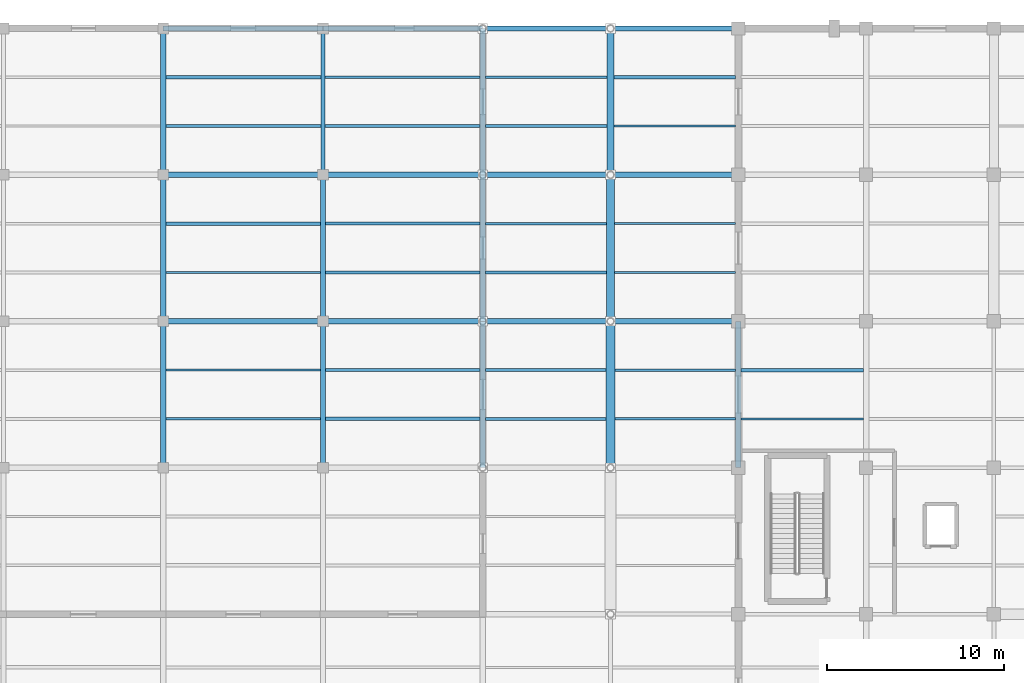
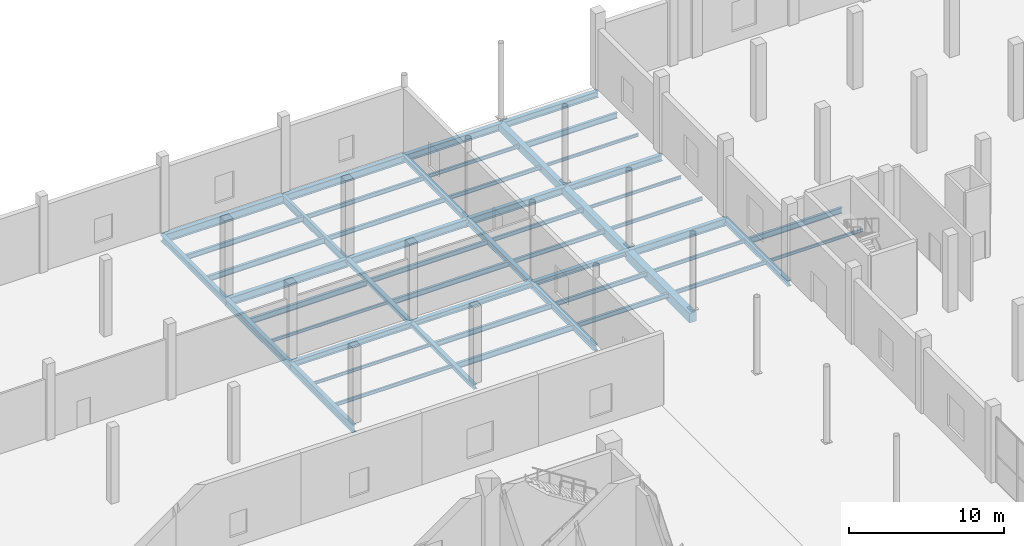
# One storey, part 71 of 144: 51 beams.
"""IFC4 building model written with IfcOpenShell, lengths in metres."""

from ifc_helpers import new_model, si_unit, direction, frame, origin, origin_2d, place, context, subcontext, project, spatial, rectangle, i_section, extrude, material, material_profile, profile_set, type_object, element, save


model = new_model("IFC4")

# Units and contexts
model_context = context("Model", 3, precision=1e-05, world=origin(), true_north=direction((0.0, 1.0)))
body_context = subcontext(model_context, "Body", "Model", "MODEL_VIEW")
ifc_project = project(units=[si_unit("LENGTHUNIT", "METRE"), si_unit("AREAUNIT", "SQUARE_METRE"), si_unit("VOLUMEUNIT", "CUBIC_METRE"), si_unit("PLANEANGLEUNIT", "RADIAN"), si_unit("MASSUNIT", "GRAM", prefix="KILO")], contexts=[model_context])

# Site, building, storey
site_placement = place(None, origin())
site = spatial("IfcSite", under=ifc_project, at=site_placement, CompositionType="ELEMENT")
building_placement = place(site_placement, origin())
building = spatial("IfcBuilding", under=site, at=building_placement, Name="Sundgate Opera House", CompositionType="ELEMENT")
storey_placement = place(building_placement, origin())
storey = spatial("IfcBuildingStorey", under=building, at=storey_placement, Name="L00", CompositionType="ELEMENT", Elevation=0.0)

# Beams
ifc_material_1 = material(Name="Steel S355J2", Category="steel")
ifc_material_profile_1 = material_profile(ifc_material_1, i_section(OverallWidth=0.300048828125, OverallDepth=0.330078125, WebThickness=0.009521484375, FlangeThickness=0.0166015625, at=origin_2d()), Name="HEA 340")
ifc_profile_set_1 = profile_set([ifc_material_profile_1], Name="Steel S355J2")
beam_type_1 = type_object("IfcBeamType", Name="BM-GR-HEA340", PredefinedType="BEAM", material=ifc_profile_set_1)
beam_1_placement = place(storey_placement, frame((72.0, 103.5, -0.485107421875), z_axis=(0.0, 1.0, 0.0), x_axis=(-1.0, 0.0, 0.0)))
element("IfcBeam", 1, at=beam_1_placement, inside=storey, type_object=beam_type_1, Name="L00 Primary N-S Girder B0160", PredefinedType="BEAM", context=body_context, shape_type="SweptSolid", body=[
    extrude(i_section(OverallWidth=0.300048828125, OverallDepth=0.330078125, WebThickness=0.009521484375, FlangeThickness=0.0166015625, at=origin_2d()), origin(), (0.0, 0.0, 1.0), 8.25),
])
ifc_material_2 = material(Name="Steel S355J2", Category="steel")
ifc_material_profile_2 = material_profile(ifc_material_2, i_section(OverallWidth=0.300048828125, OverallDepth=0.35009765625, WebThickness=0.010009765625, FlangeThickness=0.017578125, at=origin_2d()), Name="HEA 360")
ifc_profile_set_2 = profile_set([ifc_material_profile_2], Name="Steel S355J2")
beam_type_2 = type_object("IfcBeamType", Name="BM-GR-HEA360", PredefinedType="BEAM", material=ifc_profile_set_2)
beam_2_placement = place(storey_placement, frame((72.0, 95.25, -0.4951171875), z_axis=(0.0, 1.0, 0.0), x_axis=(-1.0, 0.0, 0.0)))
element("IfcBeam", 2, at=beam_2_placement, inside=storey, type_object=beam_type_2, Name="L00 Primary N-S Girder B0159", PredefinedType="BEAM", context=body_context, shape_type="SweptSolid", body=[
    extrude(i_section(OverallWidth=0.300048828125, OverallDepth=0.35009765625, WebThickness=0.010009765625, FlangeThickness=0.017578125, at=origin_2d()), origin(), (0.0, 0.0, 1.0), 8.25),
])
ifc_material_3 = material(Name="Steel S355J2", Category="steel")
ifc_material_profile_3 = material_profile(ifc_material_3, i_section(OverallWidth=0.300048828125, OverallDepth=0.43994140625, WebThickness=0.011474609375, FlangeThickness=0.02099609375, at=origin_2d()), Name="HEA 450")
ifc_profile_set_3 = profile_set([ifc_material_profile_3], Name="Steel S355J2")
beam_type_3 = type_object("IfcBeamType", Name="BM-GR-HEA450", PredefinedType="BEAM", material=ifc_profile_set_3)
beam_3_placement = place(storey_placement, frame((95.39990234375, 95.25, -0.5400390625), z_axis=(0.0, 1.0, 0.0), x_axis=(-1.0, 0.0, 0.0)))
element("IfcBeam", 3, at=beam_3_placement, inside=storey, type_object=beam_type_3, Name="L00 Primary N-S Girder B0201", PredefinedType="BEAM", context=body_context, shape_type="SweptSolid", body=[
    extrude(i_section(OverallWidth=0.300048828125, OverallDepth=0.43994140625, WebThickness=0.011474609375, FlangeThickness=0.02099609375, at=origin_2d()), origin(), (0.0, 0.0, 1.0), 8.25),
])
ifc_material_4 = material(Name="Steel S355J2", Category="steel")
ifc_material_profile_4 = material_profile(ifc_material_4, i_section(OverallWidth=0.300048828125, OverallDepth=0.590087890625, WebThickness=0.012939453125, FlangeThickness=0.02490234375, at=origin_2d()), Name="HEA 600")
ifc_profile_set_4 = profile_set([ifc_material_profile_4], Name="Steel S355J2")
beam_type_4 = type_object("IfcBeamType", Name="BM-GR-HEA600", PredefinedType="BEAM", material=ifc_profile_set_4)
beam_4_placement = place(storey_placement, frame((88.199951171875, 103.5, -0.614990234375), z_axis=(1.0, 0.0, 0.0), x_axis=(0.0, 1.0, 0.0)))
element("IfcBeam", 4, at=beam_4_placement, inside=storey, type_object=beam_type_4, Name="L00 Primary E-W Girder B0550", PredefinedType="BEAM", context=body_context, shape_type="SweptSolid", body=[
    extrude(i_section(OverallWidth=0.300048828125, OverallDepth=0.590087890625, WebThickness=0.012939453125, FlangeThickness=0.02490234375, at=origin_2d()), origin(), (0.0, 0.0, 1.0), 7.199951171875),
])
ifc_material_5 = material(Name="Steel S355J2", Category="steel")
ifc_material_profile_5 = material_profile(ifc_material_5, i_section(OverallWidth=0.300048828125, OverallDepth=0.360107421875, WebThickness=0.012451171875, FlangeThickness=0.0224609375, at=origin_2d()), Name="HEB 360")
ifc_profile_set_5 = profile_set([ifc_material_profile_5], Name="Steel S355J2")
beam_type_5 = type_object("IfcBeamType", Name="BM-GR-HEB360", PredefinedType="BEAM", material=ifc_profile_set_5)
beam_5_placement = place(storey_placement, frame((81.0, 103.5, -0.5), z_axis=(1.0, 0.0, 0.0), x_axis=(0.0, 1.0, 0.0)))
element("IfcBeam", 5, at=beam_5_placement, inside=storey, type_object=beam_type_5, Name="L00 Primary E-W Girder B0549", PredefinedType="BEAM", context=body_context, shape_type="SweptSolid", body=[
    extrude(i_section(OverallWidth=0.300048828125, OverallDepth=0.360107421875, WebThickness=0.012451171875, FlangeThickness=0.0224609375, at=origin_2d()), origin(), (0.0, 0.0, 1.0), 7.199951171875),
])
ifc_material_6 = material(Name="Steel S355J2", Category="steel")
ifc_material_profile_6 = material_profile(ifc_material_6, i_section(OverallWidth=0.300048828125, OverallDepth=0.39990234375, WebThickness=0.013427734375, FlangeThickness=0.02392578125, at=origin_2d()), Name="HEB 400")
ifc_profile_set_6 = profile_set([ifc_material_profile_6], Name="Steel S355J2")
beam_type_6 = type_object("IfcBeamType", Name="BM-GR-HEB400", PredefinedType="BEAM", material=ifc_profile_set_6)
beam_6_placement = place(storey_placement, frame((81.0, 111.75, -0.52001953125), z_axis=(0.0, 1.0, 0.0), x_axis=(-1.0, 0.0, 0.0)))
element("IfcBeam", 6, at=beam_6_placement, inside=storey, type_object=beam_type_6, Name="L00 Primary N-S Girder B0175", PredefinedType="BEAM", context=body_context, shape_type="SweptSolid", body=[
    extrude(i_section(OverallWidth=0.300048828125, OverallDepth=0.39990234375, WebThickness=0.013427734375, FlangeThickness=0.02392578125, at=origin_2d()), origin(), (0.0, 0.0, 1.0), 8.25),
])
beam_7_placement = place(storey_placement, frame((72.0, 103.5, -0.52001953125), z_axis=(1.0, 0.0, 0.0), x_axis=(0.0, 1.0, 0.0)))
element("IfcBeam", 7, at=beam_7_placement, inside=storey, type_object=beam_type_6, Name="L00 Primary E-W Girder B0548", PredefinedType="BEAM", context=body_context, shape_type="SweptSolid", body=[
    extrude(i_section(OverallWidth=0.300048828125, OverallDepth=0.39990234375, WebThickness=0.013427734375, FlangeThickness=0.02392578125, at=origin_2d()), origin(), (0.0, 0.0, 1.0), 9.0),
])
ifc_material_7 = material(Name="Steel S355J2", Category="steel")
ifc_material_profile_7 = material_profile(ifc_material_7, i_section(OverallWidth=0.300048828125, OverallDepth=0.449951171875, WebThickness=0.013916015625, FlangeThickness=0.02587890625, at=origin_2d()), Name="HEB 450")
ifc_profile_set_7 = profile_set([ifc_material_profile_7], Name="Steel S355J2")
beam_type_7 = type_object("IfcBeamType", Name="BM-GR-HEB450", PredefinedType="BEAM", material=ifc_profile_set_7)
beam_8_placement = place(storey_placement, frame((81.0, 103.5, -0.544921875), z_axis=(0.0, 1.0, 0.0), x_axis=(-1.0, 0.0, 0.0)))
element("IfcBeam", 8, at=beam_8_placement, inside=storey, type_object=beam_type_7, Name="L00 Primary N-S Girder B0174", PredefinedType="BEAM", context=body_context, shape_type="SweptSolid", body=[
    extrude(i_section(OverallWidth=0.300048828125, OverallDepth=0.449951171875, WebThickness=0.013916015625, FlangeThickness=0.02587890625, at=origin_2d()), origin(), (0.0, 0.0, 1.0), 8.25),
])
beam_9_placement = place(storey_placement, frame((63.0, 103.5, -0.544921875), z_axis=(1.0, 0.0, 0.0), x_axis=(0.0, 1.0, 0.0)))
element("IfcBeam", 9, at=beam_9_placement, inside=storey, type_object=beam_type_7, Name="L00 Primary E-W Girder B0547", PredefinedType="BEAM", context=body_context, shape_type="SweptSolid", body=[
    extrude(i_section(OverallWidth=0.300048828125, OverallDepth=0.449951171875, WebThickness=0.013916015625, FlangeThickness=0.02587890625, at=origin_2d()), origin(), (0.0, 0.0, 1.0), 9.0),
])
ifc_material_8 = material(Name="Steel S355J2", Category="steel")
ifc_material_profile_8 = material_profile(ifc_material_8, i_section(OverallWidth=0.300048828125, OverallDepth=0.5, WebThickness=0.014404296875, FlangeThickness=0.028076171875, at=origin_2d()), Name="HEB 500")
ifc_profile_set_8 = profile_set([ifc_material_profile_8], Name="Steel S355J2")
beam_type_8 = type_object("IfcBeamType", Name="BM-GR-HEB500", PredefinedType="BEAM", material=ifc_profile_set_8)
for number, where, z_axis, x_axis, name in (
    (10, (63.0, 111.75, -0.570068359375), (0.0, 1.0, 0.0), (-1.0, 0.0, 0.0), "L00 Primary N-S Girder B0151"),
    (11, (81.0, 95.25, -0.570068359375), (0.0, 1.0, 0.0), (-1.0, 0.0, 0.0), "L00 Primary N-S Girder B0173"),
):
    element("IfcBeam", number, at=place(storey_placement, frame(where, z_axis=z_axis, x_axis=x_axis)), inside=storey, type_object=beam_type_8, Name=name, PredefinedType="BEAM", context=body_context, shape_type="SweptSolid", body=[
        extrude(i_section(OverallWidth=0.300048828125, OverallDepth=0.5, WebThickness=0.014404296875, FlangeThickness=0.028076171875, at=origin_2d()), origin(), (0.0, 0.0, 1.0), 8.25),
    ])
for number, where, z_axis, x_axis, name in (
    (12, (88.199951171875, 111.75, -0.570068359375), (1.0, 0.0, 0.0), (0.0, 1.0, 0.0), "L00 Primary E-W Girder B0568"),
    (13, (88.199951171875, 120.0, -0.570068359375), (1.0, 0.0, 0.0), (0.0, 1.0, 0.0), "L00 Primary E-W Girder B0590"),
):
    element("IfcBeam", number, at=place(storey_placement, frame(where, z_axis=z_axis, x_axis=x_axis)), inside=storey, type_object=beam_type_8, Name=name, PredefinedType="BEAM", context=body_context, shape_type="SweptSolid", body=[
        extrude(i_section(OverallWidth=0.300048828125, OverallDepth=0.5, WebThickness=0.014404296875, FlangeThickness=0.028076171875, at=origin_2d()), origin(), (0.0, 0.0, 1.0), 7.199951171875),
    ])
ifc_material_9 = material(Name="Steel S355J2", Category="steel")
ifc_material_profile_9 = material_profile(ifc_material_9, i_section(OverallWidth=0.300048828125, OverallDepth=0.550048828125, WebThickness=0.014892578125, FlangeThickness=0.029052734375, at=origin_2d()), Name="HEB 550")
ifc_profile_set_9 = profile_set([ifc_material_profile_9], Name="Steel S355J2")
beam_type_9 = type_object("IfcBeamType", Name="BM-GR-HEB550", PredefinedType="BEAM", material=ifc_profile_set_9)
beam_10_placement = place(storey_placement, frame((63.0, 103.5, -0.594970703125), z_axis=(0.0, 1.0, 0.0), x_axis=(-1.0, 0.0, 0.0)))
element("IfcBeam", 14, at=beam_10_placement, inside=storey, type_object=beam_type_9, Name="L00 Primary N-S Girder B0150", PredefinedType="BEAM", context=body_context, shape_type="SweptSolid", body=[
    extrude(i_section(OverallWidth=0.300048828125, OverallDepth=0.550048828125, WebThickness=0.014892578125, FlangeThickness=0.029052734375, at=origin_2d()), origin(), (0.0, 0.0, 1.0), 8.25),
])
for number, where, z_axis, x_axis, name in (
    (15, (81.0, 111.75, -0.594970703125), (1.0, 0.0, 0.0), (0.0, 1.0, 0.0), "L00 Primary E-W Girder B0567"),
    (16, (81.0, 120.0, -0.594970703125), (1.0, 0.0, 0.0), (0.0, 1.0, 0.0), "L00 Primary E-W Girder B0589"),
):
    element("IfcBeam", number, at=place(storey_placement, frame(where, z_axis=z_axis, x_axis=x_axis)), inside=storey, type_object=beam_type_9, Name=name, PredefinedType="BEAM", context=body_context, shape_type="SweptSolid", body=[
        extrude(i_section(OverallWidth=0.300048828125, OverallDepth=0.550048828125, WebThickness=0.014892578125, FlangeThickness=0.029052734375, at=origin_2d()), origin(), (0.0, 0.0, 1.0), 7.199951171875),
    ])
ifc_material_10 = material(Name="Steel S355J2", Category="steel")
ifc_material_profile_10 = material_profile(ifc_material_10, i_section(OverallWidth=0.300048828125, OverallDepth=0.60009765625, WebThickness=0.015380859375, FlangeThickness=0.030029296875, at=origin_2d()), Name="HEB 600")
ifc_profile_set_10 = profile_set([ifc_material_profile_10], Name="Steel S355J2")
beam_type_10 = type_object("IfcBeamType", Name="BM-GR-HEB600", PredefinedType="BEAM", material=ifc_profile_set_10)
beam_11_placement = place(storey_placement, frame((63.0, 95.25, -0.6201171875), z_axis=(0.0, 1.0, 0.0), x_axis=(-1.0, 0.0, 0.0)))
element("IfcBeam", 17, at=beam_11_placement, inside=storey, type_object=beam_type_10, Name="L00 Primary N-S Girder B0149", PredefinedType="BEAM", context=body_context, shape_type="SweptSolid", body=[
    extrude(i_section(OverallWidth=0.300048828125, OverallDepth=0.60009765625, WebThickness=0.015380859375, FlangeThickness=0.030029296875, at=origin_2d()), origin(), (0.0, 0.0, 1.0), 8.25),
])
for number, where, z_axis, x_axis, name in (
    (18, (72.0, 111.75, -0.6201171875), (1.0, 0.0, 0.0), (0.0, 1.0, 0.0), "L00 Primary E-W Girder B0566"),
    (19, (72.0, 120.0, -0.6201171875), (1.0, 0.0, 0.0), (0.0, 1.0, 0.0), "L00 Primary E-W Girder B0588"),
):
    element("IfcBeam", number, at=place(storey_placement, frame(where, z_axis=z_axis, x_axis=x_axis)), inside=storey, type_object=beam_type_10, Name=name, PredefinedType="BEAM", context=body_context, shape_type="SweptSolid", body=[
        extrude(i_section(OverallWidth=0.300048828125, OverallDepth=0.60009765625, WebThickness=0.015380859375, FlangeThickness=0.030029296875, at=origin_2d()), origin(), (0.0, 0.0, 1.0), 9.0),
    ])
ifc_material_11 = material(Name="Steel S355J2", Category="steel")
ifc_material_profile_11 = material_profile(ifc_material_11, i_section(OverallWidth=0.300048828125, OverallDepth=0.64990234375, WebThickness=0.01611328125, FlangeThickness=0.031005859375, at=origin_2d()), Name="HEB 650")
ifc_profile_set_11 = profile_set([ifc_material_profile_11], Name="Steel S355J2")
beam_type_11 = type_object("IfcBeamType", Name="BM-GR-HEB650", PredefinedType="BEAM", material=ifc_profile_set_11)
for number, where, z_axis, x_axis, name in (
    (20, (63.0, 111.75, -0.64501953125), (1.0, 0.0, 0.0), (0.0, 1.0, 0.0), "L00 Primary E-W Girder B0565"),
    (21, (63.0, 120.0, -0.64501953125), (1.0, 0.0, 0.0), (0.0, 1.0, 0.0), "L00 Primary E-W Girder B0587"),
):
    element("IfcBeam", number, at=place(storey_placement, frame(where, z_axis=z_axis, x_axis=x_axis)), inside=storey, type_object=beam_type_11, Name=name, PredefinedType="BEAM", context=body_context, shape_type="SweptSolid", body=[
        extrude(i_section(OverallWidth=0.300048828125, OverallDepth=0.64990234375, WebThickness=0.01611328125, FlangeThickness=0.031005859375, at=origin_2d()), origin(), (0.0, 0.0, 1.0), 9.0),
    ])
ifc_material_12 = material(Name="Steel S355J2", Category="steel")
ifc_material_profile_12 = material_profile(ifc_material_12, i_section(OverallWidth=0.219970703125, OverallDepth=0.60009765625, WebThickness=0.011962890625, FlangeThickness=0.01904296875, at=origin_2d()), Name="IPE 600")
ifc_profile_set_12 = profile_set([ifc_material_profile_12], Name="Steel S355J2")
beam_type_12 = type_object("IfcBeamType", Name="BM-GR-IPE600", PredefinedType="BEAM", material=ifc_profile_set_12)
beam_12_placement = place(storey_placement, frame((72.0, 111.75, -0.6201171875), z_axis=(0.0, 1.0, 0.0), x_axis=(-1.0, 0.0, 0.0)))
element("IfcBeam", 22, at=beam_12_placement, inside=storey, type_object=beam_type_12, Name="L00 Primary N-S Girder B0161", PredefinedType="BEAM", context=body_context, shape_type="SweptSolid", body=[
    extrude(i_section(OverallWidth=0.219970703125, OverallDepth=0.60009765625, WebThickness=0.011962890625, FlangeThickness=0.01904296875, at=origin_2d()), origin(), (0.0, 0.0, 1.0), 8.25),
])
ifc_material_13 = material(Name="Steel S355J2", Category="steel")
ifc_material_profile_13 = material_profile(ifc_material_13, i_section(OverallWidth=0.1201171875, OverallDepth=0.239990234375, WebThickness=0.006103515625, FlangeThickness=0.009765625, at=origin_2d()), Name="IPE 240")
ifc_profile_set_13 = profile_set([ifc_material_profile_13], Name="Steel S355J2")
beam_type_13 = type_object("IfcBeamType", Name="BM-JS-IPE240", PredefinedType="JOIST", material=ifc_profile_set_13)
beam_13_placement = place(storey_placement, frame((63.14990234375, 100.75, -0.43994140625), z_axis=(1.0, 0.0, 0.0), x_axis=(0.0, 1.0, 0.0)))
element("IfcBeam", 23, at=beam_13_placement, inside=storey, type_object=beam_type_13, Name="L00 Secondary Floor Joist B0965", PredefinedType="JOIST", context=body_context, shape_type="SweptSolid", body=[
    extrude(i_section(OverallWidth=0.1201171875, OverallDepth=0.239990234375, WebThickness=0.006103515625, FlangeThickness=0.009765625, at=origin_2d()), origin(), (0.0, 0.0, 1.0), 8.7001953125),
])
beam_14_placement = place(storey_placement, frame((95.550048828125, 98.0, -0.43994140625), z_axis=(1.0, 0.0, 0.0), x_axis=(0.0, 1.0, 0.0)))
element("IfcBeam", 24, at=beam_14_placement, inside=storey, type_object=beam_type_13, Name="L00 Secondary Floor Joist B0972", PredefinedType="JOIST", context=body_context, shape_type="SweptSolid", body=[
    extrude(i_section(OverallWidth=0.1201171875, OverallDepth=0.239990234375, WebThickness=0.006103515625, FlangeThickness=0.009765625, at=origin_2d()), origin(), (0.0, 0.0, 1.0), 6.89990234375),
])
beam_15_placement = place(storey_placement, frame((63.14990234375, 106.25, -0.43994140625), z_axis=(1.0, 0.0, 0.0), x_axis=(0.0, 1.0, 0.0)))
element("IfcBeam", 25, at=beam_15_placement, inside=storey, type_object=beam_type_13, Name="L00 Secondary Floor Joist B1000", PredefinedType="JOIST", context=body_context, shape_type="SweptSolid", body=[
    extrude(i_section(OverallWidth=0.1201171875, OverallDepth=0.239990234375, WebThickness=0.006103515625, FlangeThickness=0.009765625, at=origin_2d()), origin(), (0.0, 0.0, 1.0), 8.7001953125),
])
beam_16_placement = place(storey_placement, frame((88.425048828125, 109.0, -0.43994140625), z_axis=(1.0, 0.0, 0.0), x_axis=(0.0, 1.0, 0.0)))
element("IfcBeam", 26, at=beam_16_placement, inside=storey, type_object=beam_type_13, Name="L00 Secondary Floor Joist B1007", PredefinedType="JOIST", context=body_context, shape_type="SweptSolid", body=[
    extrude(i_section(OverallWidth=0.1201171875, OverallDepth=0.239990234375, WebThickness=0.006103515625, FlangeThickness=0.009765625, at=origin_2d()), origin(), (0.0, 0.0, 1.0), 6.824951171875),
])
beam_17_placement = place(storey_placement, frame((88.39990234375, 114.5, -0.43994140625), z_axis=(1.0, 0.0, 0.0), x_axis=(0.0, 1.0, 0.0)))
element("IfcBeam", 27, at=beam_17_placement, inside=storey, type_object=beam_type_13, Name="L00 Secondary Floor Joist B1042", PredefinedType="JOIST", context=body_context, shape_type="SweptSolid", body=[
    extrude(i_section(OverallWidth=0.1201171875, OverallDepth=0.239990234375, WebThickness=0.006103515625, FlangeThickness=0.009765625, at=origin_2d()), origin(), (0.0, 0.0, 1.0), 6.85009765625),
])
ifc_material_14 = material(Name="Steel S355J2", Category="steel")
ifc_material_profile_14 = material_profile(ifc_material_14, i_section(OverallWidth=0.135009765625, OverallDepth=0.27001953125, WebThickness=0.006591796875, FlangeThickness=0.01025390625, at=origin_2d()), Name="IPE 270")
ifc_profile_set_14 = profile_set([ifc_material_profile_14], Name="Steel S355J2")
beam_type_14 = type_object("IfcBeamType", Name="BM-JS-IPE270", PredefinedType="JOIST", material=ifc_profile_set_14)
beam_18_placement = place(storey_placement, frame((63.14990234375, 98.0, -0.455078125), z_axis=(1.0, 0.0, 0.0), x_axis=(0.0, 1.0, 0.0)))
element("IfcBeam", 28, at=beam_18_placement, inside=storey, type_object=beam_type_14, Name="L00 Secondary Floor Joist B0964", PredefinedType="JOIST", context=body_context, shape_type="SweptSolid", body=[
    extrude(i_section(OverallWidth=0.135009765625, OverallDepth=0.27001953125, WebThickness=0.006591796875, FlangeThickness=0.01025390625, at=origin_2d()), origin(), (0.0, 0.0, 1.0), 8.7001953125),
])
beam_19_placement = place(storey_placement, frame((88.449951171875, 100.75, -0.455078125), z_axis=(1.0, 0.0, 0.0), x_axis=(0.0, 1.0, 0.0)))
element("IfcBeam", 29, at=beam_19_placement, inside=storey, type_object=beam_type_14, Name="L00 Secondary Floor Joist B0971", PredefinedType="JOIST", context=body_context, shape_type="SweptSolid", body=[
    extrude(i_section(OverallWidth=0.135009765625, OverallDepth=0.27001953125, WebThickness=0.006591796875, FlangeThickness=0.01025390625, at=origin_2d()), origin(), (0.0, 0.0, 1.0), 6.800048828125),
])
beam_20_placement = place(storey_placement, frame((88.425048828125, 106.25, -0.455078125), z_axis=(1.0, 0.0, 0.0), x_axis=(0.0, 1.0, 0.0)))
element("IfcBeam", 30, at=beam_20_placement, inside=storey, type_object=beam_type_14, Name="L00 Secondary Floor Joist B1006", PredefinedType="JOIST", context=body_context, shape_type="SweptSolid", body=[
    extrude(i_section(OverallWidth=0.135009765625, OverallDepth=0.27001953125, WebThickness=0.006591796875, FlangeThickness=0.01025390625, at=origin_2d()), origin(), (0.0, 0.0, 1.0), 6.824951171875),
])
beam_21_placement = place(storey_placement, frame((81.14990234375, 117.25, -0.455078125), z_axis=(1.0, 0.0, 0.0), x_axis=(0.0, 1.0, 0.0)))
element("IfcBeam", 31, at=beam_21_placement, inside=storey, type_object=beam_type_14, Name="L00 Secondary Floor Joist B1041", PredefinedType="JOIST", context=body_context, shape_type="SweptSolid", body=[
    extrude(i_section(OverallWidth=0.135009765625, OverallDepth=0.27001953125, WebThickness=0.006591796875, FlangeThickness=0.01025390625, at=origin_2d()), origin(), (0.0, 0.0, 1.0), 6.85009765625),
])
ifc_material_15 = material(Name="Steel S355J2", Category="steel")
ifc_material_profile_15 = material_profile(ifc_material_15, i_section(OverallWidth=0.14990234375, OverallDepth=0.300048828125, WebThickness=0.007080078125, FlangeThickness=0.0107421875, at=origin_2d()), Name="IPE 300")
ifc_profile_set_15 = profile_set([ifc_material_profile_15], Name="Steel S355J2")
beam_type_15 = type_object("IfcBeamType", Name="BM-JS-IPE300", PredefinedType="JOIST", material=ifc_profile_set_15)
beam_22_placement = place(storey_placement, frame((88.449951171875, 98.0, -0.469970703125), z_axis=(1.0, 0.0, 0.0), x_axis=(0.0, 1.0, 0.0)))
element("IfcBeam", 32, at=beam_22_placement, inside=storey, type_object=beam_type_15, Name="L00 Secondary Floor Joist B0970", PredefinedType="JOIST", context=body_context, shape_type="SweptSolid", body=[
    extrude(i_section(OverallWidth=0.14990234375, OverallDepth=0.300048828125, WebThickness=0.007080078125, FlangeThickness=0.0107421875, at=origin_2d()), origin(), (0.0, 0.0, 1.0), 6.800048828125),
])
beam_23_placement = place(storey_placement, frame((81.14990234375, 109.0, -0.469970703125), z_axis=(1.0, 0.0, 0.0), x_axis=(0.0, 1.0, 0.0)))
element("IfcBeam", 33, at=beam_23_placement, inside=storey, type_object=beam_type_15, Name="L00 Secondary Floor Joist B1005", PredefinedType="JOIST", context=body_context, shape_type="SweptSolid", body=[
    extrude(i_section(OverallWidth=0.14990234375, OverallDepth=0.300048828125, WebThickness=0.007080078125, FlangeThickness=0.0107421875, at=origin_2d()), origin(), (0.0, 0.0, 1.0), 6.8251953125),
])
beam_24_placement = place(storey_placement, frame((81.14990234375, 114.5, -0.469970703125), z_axis=(1.0, 0.0, 0.0), x_axis=(0.0, 1.0, 0.0)))
element("IfcBeam", 34, at=beam_24_placement, inside=storey, type_object=beam_type_15, Name="L00 Secondary Floor Joist B1040", PredefinedType="JOIST", context=body_context, shape_type="SweptSolid", body=[
    extrude(i_section(OverallWidth=0.14990234375, OverallDepth=0.300048828125, WebThickness=0.007080078125, FlangeThickness=0.0107421875, at=origin_2d()), origin(), (0.0, 0.0, 1.0), 6.85009765625),
])
ifc_material_16 = material(Name="Steel S355J2", Category="steel")
ifc_material_profile_16 = material_profile(ifc_material_16, i_section(OverallWidth=0.159912109375, OverallDepth=0.330078125, WebThickness=0.007568359375, FlangeThickness=0.011474609375, at=origin_2d()), Name="IPE 330")
ifc_profile_set_16 = profile_set([ifc_material_profile_16], Name="Steel S355J2")
beam_type_16 = type_object("IfcBeamType", Name="BM-JS-IPE330", PredefinedType="JOIST", material=ifc_profile_set_16)
beam_25_placement = place(storey_placement, frame((81.14990234375, 100.75, -0.485107421875), z_axis=(1.0, 0.0, 0.0), x_axis=(0.0, 1.0, 0.0)))
element("IfcBeam", 35, at=beam_25_placement, inside=storey, type_object=beam_type_16, Name="L00 Secondary Floor Joist B0969", PredefinedType="JOIST", context=body_context, shape_type="SweptSolid", body=[
    extrude(i_section(OverallWidth=0.159912109375, OverallDepth=0.330078125, WebThickness=0.007568359375, FlangeThickness=0.011474609375, at=origin_2d()), origin(), (0.0, 0.0, 1.0), 6.800048828125),
])
beam_26_placement = place(storey_placement, frame((81.14990234375, 106.25, -0.485107421875), z_axis=(1.0, 0.0, 0.0), x_axis=(0.0, 1.0, 0.0)))
element("IfcBeam", 36, at=beam_26_placement, inside=storey, type_object=beam_type_16, Name="L00 Secondary Floor Joist B1004", PredefinedType="JOIST", context=body_context, shape_type="SweptSolid", body=[
    extrude(i_section(OverallWidth=0.159912109375, OverallDepth=0.330078125, WebThickness=0.007568359375, FlangeThickness=0.011474609375, at=origin_2d()), origin(), (0.0, 0.0, 1.0), 6.8251953125),
])
beam_27_placement = place(storey_placement, frame((72.110107421875, 117.25, -0.485107421875), z_axis=(1.0, 0.0, 0.0), x_axis=(0.0, 1.0, 0.0)))
element("IfcBeam", 37, at=beam_27_placement, inside=storey, type_object=beam_type_16, Name="L00 Secondary Floor Joist B1039", PredefinedType="JOIST", context=body_context, shape_type="SweptSolid", body=[
    extrude(i_section(OverallWidth=0.159912109375, OverallDepth=0.330078125, WebThickness=0.007568359375, FlangeThickness=0.011474609375, at=origin_2d()), origin(), (0.0, 0.0, 1.0), 8.739990234375),
])
ifc_material_17 = material(Name="Steel S355J2", Category="steel")
ifc_material_profile_17 = material_profile(ifc_material_17, i_section(OverallWidth=0.169921875, OverallDepth=0.360107421875, WebThickness=0.008056640625, FlangeThickness=0.0126953125, at=origin_2d()), Name="IPE 360")
ifc_profile_set_17 = profile_set([ifc_material_profile_17], Name="Steel S355J2")
beam_type_17 = type_object("IfcBeamType", Name="BM-JS-IPE360", PredefinedType="JOIST", material=ifc_profile_set_17)
beam_28_placement = place(storey_placement, frame((81.14990234375, 98.0, -0.5), z_axis=(1.0, 0.0, 0.0), x_axis=(0.0, 1.0, 0.0)))
element("IfcBeam", 38, at=beam_28_placement, inside=storey, type_object=beam_type_17, Name="L00 Secondary Floor Joist B0968", PredefinedType="JOIST", context=body_context, shape_type="SweptSolid", body=[
    extrude(i_section(OverallWidth=0.169921875, OverallDepth=0.360107421875, WebThickness=0.008056640625, FlangeThickness=0.0126953125, at=origin_2d()), origin(), (0.0, 0.0, 1.0), 6.800048828125),
])
beam_29_placement = place(storey_placement, frame((72.14990234375, 109.0, -0.5), z_axis=(1.0, 0.0, 0.0), x_axis=(0.0, 1.0, 0.0)))
element("IfcBeam", 39, at=beam_29_placement, inside=storey, type_object=beam_type_17, Name="L00 Secondary Floor Joist B1003", PredefinedType="JOIST", context=body_context, shape_type="SweptSolid", body=[
    extrude(i_section(OverallWidth=0.169921875, OverallDepth=0.360107421875, WebThickness=0.008056640625, FlangeThickness=0.0126953125, at=origin_2d()), origin(), (0.0, 0.0, 1.0), 8.7001953125),
])
beam_30_placement = place(storey_placement, frame((72.110107421875, 114.5, -0.5), z_axis=(1.0, 0.0, 0.0), x_axis=(0.0, 1.0, 0.0)))
element("IfcBeam", 40, at=beam_30_placement, inside=storey, type_object=beam_type_17, Name="L00 Secondary Floor Joist B1038", PredefinedType="JOIST", context=body_context, shape_type="SweptSolid", body=[
    extrude(i_section(OverallWidth=0.169921875, OverallDepth=0.360107421875, WebThickness=0.008056640625, FlangeThickness=0.0126953125, at=origin_2d()), origin(), (0.0, 0.0, 1.0), 8.739990234375),
])
ifc_material_18 = material(Name="Steel S355J2", Category="steel")
ifc_material_profile_18 = material_profile(ifc_material_18, i_section(OverallWidth=0.179931640625, OverallDepth=0.39990234375, WebThickness=0.008544921875, FlangeThickness=0.013427734375, at=origin_2d()), Name="IPE 400")
ifc_profile_set_18 = profile_set([ifc_material_profile_18], Name="Steel S355J2")
beam_type_18 = type_object("IfcBeamType", Name="BM-JS-IPE400", PredefinedType="JOIST", material=ifc_profile_set_18)
for number, where, z_axis, x_axis, name in (
    (41, (72.14990234375, 100.75, -0.52001953125), (1.0, 0.0, 0.0), (0.0, 1.0, 0.0), "L00 Secondary Floor Joist B0967"),
    (42, (72.14990234375, 106.25, -0.52001953125), (1.0, 0.0, 0.0), (0.0, 1.0, 0.0), "L00 Secondary Floor Joist B1002"),
):
    element("IfcBeam", number, at=place(storey_placement, frame(where, z_axis=z_axis, x_axis=x_axis)), inside=storey, type_object=beam_type_18, Name=name, PredefinedType="JOIST", context=body_context, shape_type="SweptSolid", body=[
        extrude(i_section(OverallWidth=0.179931640625, OverallDepth=0.39990234375, WebThickness=0.008544921875, FlangeThickness=0.013427734375, at=origin_2d()), origin(), (0.0, 0.0, 1.0), 8.7001953125),
    ])
beam_31_placement = place(storey_placement, frame((63.14990234375, 117.25, -0.52001953125), z_axis=(1.0, 0.0, 0.0), x_axis=(0.0, 1.0, 0.0)))
element("IfcBeam", 43, at=beam_31_placement, inside=storey, type_object=beam_type_18, Name="L00 Secondary Floor Joist B1037", PredefinedType="JOIST", context=body_context, shape_type="SweptSolid", body=[
    extrude(i_section(OverallWidth=0.179931640625, OverallDepth=0.39990234375, WebThickness=0.008544921875, FlangeThickness=0.013427734375, at=origin_2d()), origin(), (0.0, 0.0, 1.0), 8.739990234375),
])
ifc_material_19 = material(Name="Steel S355J2", Category="steel")
ifc_material_profile_19 = material_profile(ifc_material_19, i_section(OverallWidth=0.18994140625, OverallDepth=0.449951171875, WebThickness=0.009521484375, FlangeThickness=0.0146484375, at=origin_2d()), Name="IPE 450")
ifc_profile_set_19 = profile_set([ifc_material_profile_19], Name="Steel S355J2")
beam_type_19 = type_object("IfcBeamType", Name="BM-JS-IPE450", PredefinedType="JOIST", material=ifc_profile_set_19)
beam_32_placement = place(storey_placement, frame((72.14990234375, 98.0, -0.544921875), z_axis=(1.0, 0.0, 0.0), x_axis=(0.0, 1.0, 0.0)))
element("IfcBeam", 44, at=beam_32_placement, inside=storey, type_object=beam_type_19, Name="L00 Secondary Floor Joist B0966", PredefinedType="JOIST", context=body_context, shape_type="SweptSolid", body=[
    extrude(i_section(OverallWidth=0.18994140625, OverallDepth=0.449951171875, WebThickness=0.009521484375, FlangeThickness=0.0146484375, at=origin_2d()), origin(), (0.0, 0.0, 1.0), 8.7001953125),
])
beam_33_placement = place(storey_placement, frame((95.550048828125, 100.75, -0.544921875), z_axis=(1.0, 0.0, 0.0), x_axis=(0.0, 1.0, 0.0)))
element("IfcBeam", 45, at=beam_33_placement, inside=storey, type_object=beam_type_19, Name="L00 Secondary Floor Joist B0973", PredefinedType="JOIST", context=body_context, shape_type="SweptSolid", body=[
    extrude(i_section(OverallWidth=0.18994140625, OverallDepth=0.449951171875, WebThickness=0.009521484375, FlangeThickness=0.0146484375, at=origin_2d()), origin(), (0.0, 0.0, 1.0), 6.89990234375),
])
beam_34_placement = place(storey_placement, frame((63.14990234375, 109.0, -0.544921875), z_axis=(1.0, 0.0, 0.0), x_axis=(0.0, 1.0, 0.0)))
element("IfcBeam", 46, at=beam_34_placement, inside=storey, type_object=beam_type_19, Name="L00 Secondary Floor Joist B1001", PredefinedType="JOIST", context=body_context, shape_type="SweptSolid", body=[
    extrude(i_section(OverallWidth=0.18994140625, OverallDepth=0.449951171875, WebThickness=0.009521484375, FlangeThickness=0.0146484375, at=origin_2d()), origin(), (0.0, 0.0, 1.0), 8.7001953125),
])
beam_35_placement = place(storey_placement, frame((63.14990234375, 114.5, -0.544921875), z_axis=(1.0, 0.0, 0.0), x_axis=(0.0, 1.0, 0.0)))
element("IfcBeam", 47, at=beam_35_placement, inside=storey, type_object=beam_type_19, Name="L00 Secondary Floor Joist B1036", PredefinedType="JOIST", context=body_context, shape_type="SweptSolid", body=[
    extrude(i_section(OverallWidth=0.18994140625, OverallDepth=0.449951171875, WebThickness=0.009521484375, FlangeThickness=0.0146484375, at=origin_2d()), origin(), (0.0, 0.0, 1.0), 8.739990234375),
])
beam_36_placement = place(storey_placement, frame((88.39990234375, 117.25, -0.544921875), z_axis=(1.0, 0.0, 0.0), x_axis=(0.0, 1.0, 0.0)))
element("IfcBeam", 48, at=beam_36_placement, inside=storey, type_object=beam_type_19, Name="L00 Secondary Floor Joist B1043", PredefinedType="JOIST", context=body_context, shape_type="SweptSolid", body=[
    extrude(i_section(OverallWidth=0.18994140625, OverallDepth=0.449951171875, WebThickness=0.009521484375, FlangeThickness=0.0146484375, at=origin_2d()), origin(), (0.0, 0.0, 1.0), 6.85009765625),
])
ifc_material_20 = material(Name="Concrete C35/45", Category="concrete")
ifc_material_profile_20 = material_profile(ifc_material_20, rectangle(XDim=0.39990234375, YDim=0.60009765625, at=origin_2d()), Name="RC 400x600")
ifc_profile_set_20 = profile_set([ifc_material_profile_20], Name="Concrete C35/45")
beam_type_20 = type_object("IfcBeamType", Name="BM-RC-400x600", PredefinedType="BEAM", material=ifc_profile_set_20)
beam_37_placement = place(storey_placement, frame((88.199951171875, 111.75, -0.6201171875), z_axis=(0.0, 1.0, 0.0), x_axis=(-1.0, 0.0, 0.0)))
element("IfcBeam", 49, at=beam_37_placement, inside=storey, type_object=beam_type_20, Name="L00 Primary N-S Girder B0189", PredefinedType="BEAM", context=body_context, shape_type="SweptSolid", body=[
    extrude(rectangle(XDim=0.39990234375, YDim=0.60009765625, at=origin_2d()), origin(), (0.0, 0.0, 1.0), 8.25),
])
ifc_material_21 = material(Name="Concrete C35/45", Category="concrete")
ifc_material_profile_21 = material_profile(ifc_material_21, rectangle(XDim=0.449951171875, YDim=0.64990234375, at=origin_2d()), Name="RC 450x650")
ifc_profile_set_21 = profile_set([ifc_material_profile_21], Name="Concrete C35/45")
beam_type_21 = type_object("IfcBeamType", Name="BM-RC-450x650", PredefinedType="BEAM", material=ifc_profile_set_21)
beam_38_placement = place(storey_placement, frame((88.199951171875, 103.5, -0.64501953125), z_axis=(0.0, 1.0, 0.0), x_axis=(-1.0, 0.0, 0.0)))
element("IfcBeam", 50, at=beam_38_placement, inside=storey, type_object=beam_type_21, Name="L00 Primary N-S Girder B0188", PredefinedType="BEAM", context=body_context, shape_type="SweptSolid", body=[
    extrude(rectangle(XDim=0.449951171875, YDim=0.64990234375, at=origin_2d()), origin(), (0.0, 0.0, 1.0), 8.25),
])
ifc_material_22 = material(Name="Concrete C40/50", Category="concrete")
ifc_material_profile_22 = material_profile(ifc_material_22, rectangle(XDim=0.5, YDim=0.75, at=origin_2d()), Name="RC 500x750")
ifc_profile_set_22 = profile_set([ifc_material_profile_22], Name="Concrete C40/50")
beam_type_22 = type_object("IfcBeamType", Name="BM-RC-500x750", PredefinedType="BEAM", material=ifc_profile_set_22)
beam_39_placement = place(storey_placement, frame((88.199951171875, 95.25, -0.695068359375), z_axis=(0.0, 1.0, 0.0), x_axis=(-1.0, 0.0, 0.0)))
element("IfcBeam", 51, at=beam_39_placement, inside=storey, type_object=beam_type_22, Name="L00 Primary N-S Girder B0187", PredefinedType="BEAM", context=body_context, shape_type="SweptSolid", body=[
    extrude(rectangle(XDim=0.5, YDim=0.75, at=origin_2d()), origin(), (0.0, 0.0, 1.0), 8.25),
])

save(model, "model.ifc")
